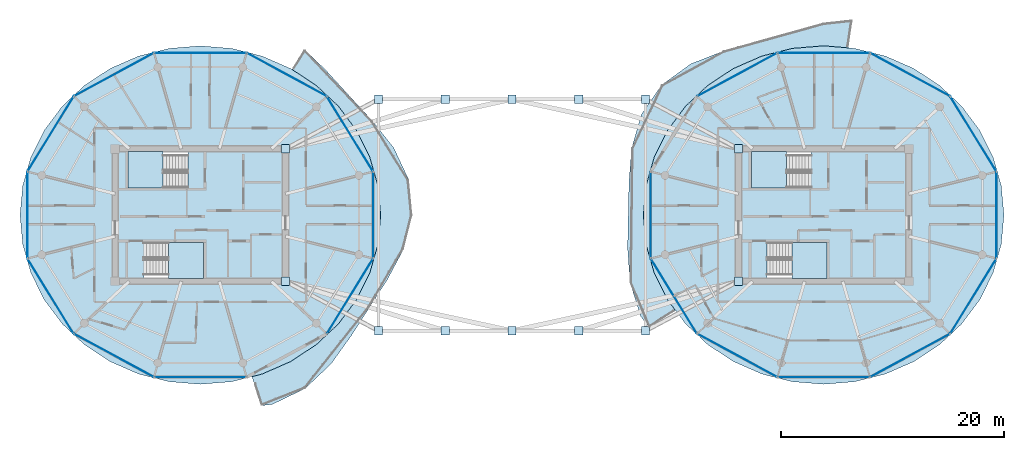
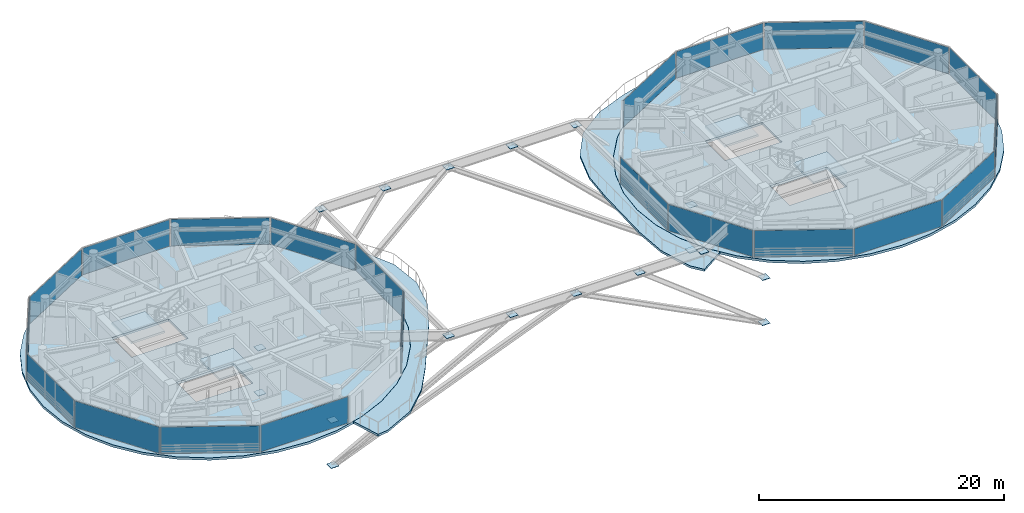
# One storey, part 12 of 23: 40 plates, 8 slabs, 26 elements without a shape of their own.
"""IFC4 building model written with IfcOpenShell, lengths in metres."""

from ifc_helpers import new_model, si_unit, direction, frame, origin, origin_2d, place, context, subcontext, project, spatial, polyline, rectangle, outline, extrude, source, transform, mapped, material, layer, layer_set, type_object, type_shapes, element, aggregate, save


model = new_model("IFC4")

# Units and contexts
model_context = context("Model", 3, precision=1e-05, world=origin(), true_north=direction((0.0, 1.0)))
body_context = subcontext(model_context, "Body", "Model", "MODEL_VIEW")
ifc_project = project(units=[si_unit("LENGTHUNIT", "METRE"), si_unit("AREAUNIT", "SQUARE_METRE"), si_unit("VOLUMEUNIT", "CUBIC_METRE"), si_unit("PLANEANGLEUNIT", "RADIAN"), si_unit("MASSUNIT", "GRAM", prefix="KILO")], contexts=[model_context])

# Site, building, storey
site_placement = place(None, origin())
site = spatial("IfcSite", under=ifc_project, at=site_placement, CompositionType="ELEMENT")
building_placement = place(site_placement, origin())
building = spatial("IfcBuilding", under=site, at=building_placement, Name="Norrkilde Senior Care Towers", CompositionType="ELEMENT")
storey_placement = place(building_placement, frame((0.0, 0.0, 196.75)))
storey = spatial("IfcBuildingStorey", under=building, at=storey_placement, Name="L61", CompositionType="ELEMENT", Elevation=196.75)

# Slabs
ifc_material_1 = material(Name="Concrete C50/60", Category="concrete")
ifc_layer_1 = layer(ifc_material_1, 0.215087890625)
ifc_layer_set_1 = layer_set([ifc_layer_1], Name="Concrete C50/60")
slab_type_1 = type_object("IfcSlabType", Name="Sinusoidal Balcony Ribbon Slab 215", PredefinedType="FLOOR", material=ifc_layer_set_1)
slab_1_placement = place(storey_placement, frame((0.0, 0.0, -0.215087890625)))
element("IfcSlab", 1, at=slab_1_placement, inside=storey, type_object=slab_type_1, Name="L61 Drum W Swirling Senior Balcony 1", PredefinedType="FLOOR", context=body_context, shape_type="SweptSolid", body=[
    extrude(outline(polyline([(-12.81689453125, -8.309814453125), (-14.421630859375, -10.815185546875), (-16.23876953125, -13.35595703125), (-18.589111328125, -15.583251953125), (-21.529541015625, -17.005859375), (-22.51708984375, -17.125732421875), (-23.353515625, -14.51318359375), (-22.45751953125, -14.2880859375), (-19.8974609375, -13.16796875), (-17.583740234375, -11.647705078125), (-15.586181640625, -9.773681640625), (-13.966064453125, -7.6025390625), (-12.772216796875, -5.200439453125), (-12.041259765625, -2.640380859375), (-11.794921875, 0.0), (-12.041259765625, 2.640380859375), (-12.772216796875, 5.200439453125), (-13.966064453125, 7.6025390625), (-15.586181640625, 9.773681640625), (-17.583740234375, 11.647705078125), (-19.76806640625, 13.0830078125), (-18.6318359375, 14.888916015625), (-16.60546875, 12.890625), (-14.582275390625, 10.671630859375), (-12.548583984375, 8.474853515625), (-10.62109375, 6.03515625), (-9.273193359375, 3.16064453125), (-8.967041015625, 0.0), (-9.747802734375, -3.0712890625), (-11.199951171875, -5.810546875), (-12.81689453125, -8.309814453125)])), origin(), (0.0, 0.0, 1.0), 0.215087890625),
])
slab_2_placement = place(storey_placement, frame((0.0, 0.0, -0.215087890625)))
element("IfcSlab", 2, at=slab_2_placement, inside=storey, type_object=slab_type_1, Name="L61 Drum E Swirling Senior Balcony 1", PredefinedType="FLOOR", context=body_context, shape_type="SweptSolid", body=[
    extrude(outline(polyline([(10.5966796875, -6.04443359375), (10.383544921875, -2.951904296875), (10.44580078125, 0.0), (10.505615234375, 2.928955078125), (10.745361328125, 5.98681640625), (11.62646484375, 9.042236328125), (13.445556640625, 11.688232421875), (16.062255859375, 13.58056640625), (19.0380859375, 14.7548828125), (22.01318359375, 15.58935546875), (24.94482421875, 16.431640625), (28.0, 17.243896484375), (30.5791015625, 17.524169921875), (30.2109375, 15.0234375), (28.0, 15.205078125), (25.18603515625, 14.97412109375), (22.45751953125, 14.2880859375), (19.8974609375, 13.16796875), (17.583740234375, 11.647705078125), (15.586181640625, 9.773681640625), (13.966064453125, 7.6025390625), (12.772216796875, 5.200439453125), (12.041259765625, 2.640380859375), (11.794921875, 0.0), (12.041259765625, -2.640380859375), (12.772216796875, -5.200439453125), (13.966064453125, -7.6025390625), (14.6904296875, -8.572998046875), (12.320556640625, -10.099609375), (11.5576171875, -9.084716796875), (10.5966796875, -6.04443359375)])), origin(), (0.0, 0.0, 1.0), 0.215087890625),
])

# Stair, slab
ifc_material_2 = material(Name="Concrete C45/55", Category="concrete")
stair_type = type_object("IfcStairType", Name="Core Protected Dogleg Stair Typical 3050", PredefinedType="HALF_TURN_STAIR", material=ifc_material_2)
stair_1_placement = place(storey_placement, origin())
stair_1 = element("IfcStair", 3, at=stair_1_placement, inside=storey, type_object=stair_type, Name="L61 Protected Core Stair W1", PredefinedType="HALF_TURN_STAIR")
ifc_layer_2 = layer(ifc_material_2, 0.199951171875)
ifc_layer_set_2 = layer_set([ifc_layer_2], Name="Concrete C45/55")
slab_type_2 = type_object("IfcSlabType", Name="Stair Landing Slab 200", PredefinedType="LANDING", material=ifc_layer_set_2)
slab_3_placement = place(storey_placement, frame((0.0, 0.0, 1.324951171875)))
slab_3 = element("IfcSlab", 4, at=slab_3_placement, type_object=slab_type_2, Name="ST-W1 landing 1", PredefinedType="LANDING", context=body_context, shape_type="SweptSolid", body=[
    extrude(outline(polyline([(-31.340087890625, 5.68994140625), (-34.5, 5.68994140625), (-34.5, 2.449951171875), (-31.340087890625, 2.449951171875), (-31.340087890625, 5.68994140625)])), origin(), (0.0, 0.0, 1.0), 0.199951171875),
])
aggregate(stair_1, [slab_3])

stair_2_placement = place(storey_placement, origin())
stair_2 = element("IfcStair", 5, at=stair_2_placement, inside=storey, type_object=stair_type, Name="L61 Protected Core Stair W2", PredefinedType="HALF_TURN_STAIR")
slab_4_placement = place(storey_placement, frame((0.0, 0.0, 1.324951171875)))
slab_4 = element("IfcSlab", 6, at=slab_4_placement, type_object=slab_type_2, Name="ST-W2 landing 1", PredefinedType="LANDING", context=body_context, shape_type="SweptSolid", body=[
    extrude(outline(polyline([(-30.860107421875, -5.68994140625), (-27.699951171875, -5.68994140625), (-27.699951171875, -2.449951171875), (-30.860107421875, -2.449951171875), (-30.860107421875, -5.68994140625)])), origin(), (0.0, 0.0, 1.0), 0.199951171875),
])
aggregate(stair_2, [slab_4])

stair_3_placement = place(storey_placement, origin())
stair_3 = element("IfcStair", 7, at=stair_3_placement, inside=storey, type_object=stair_type, Name="L61 Protected Core Stair E1", PredefinedType="HALF_TURN_STAIR")
slab_5_placement = place(storey_placement, frame((0.0, 0.0, 1.324951171875)))
slab_5 = element("IfcSlab", 8, at=slab_5_placement, type_object=slab_type_2, Name="ST-E1 landing 1", PredefinedType="LANDING", context=body_context, shape_type="SweptSolid", body=[
    extrude(outline(polyline([(24.659912109375, 5.68994140625), (21.5, 5.68994140625), (21.5, 2.449951171875), (24.659912109375, 2.449951171875), (24.659912109375, 5.68994140625)])), origin(), (0.0, 0.0, 1.0), 0.199951171875),
])
aggregate(stair_3, [slab_5])

stair_4_placement = place(storey_placement, origin())
stair_4 = element("IfcStair", 9, at=stair_4_placement, inside=storey, type_object=stair_type, Name="L61 Protected Core Stair E2", PredefinedType="HALF_TURN_STAIR")
slab_6_placement = place(storey_placement, frame((0.0, 0.0, 1.324951171875)))
slab_6 = element("IfcSlab", 10, at=slab_6_placement, type_object=slab_type_2, Name="ST-E2 landing 1", PredefinedType="LANDING", context=body_context, shape_type="SweptSolid", body=[
    extrude(outline(polyline([(25.139892578125, -5.68994140625), (28.300048828125, -5.68994140625), (28.300048828125, -2.449951171875), (25.139892578125, -2.449951171875), (25.139892578125, -5.68994140625)])), origin(), (0.0, 0.0, 1.0), 0.199951171875),
])
aggregate(stair_4, [slab_6])

# Slabs
ifc_layer_3 = layer(ifc_material_1, 0.239990234375)
ifc_layer_set_3 = layer_set([ifc_layer_3], Name="Concrete C50/60")
slab_type_3 = type_object("IfcSlabType", Name="Tower Residence Floor Slab 240", PredefinedType="FLOOR", material=ifc_layer_set_3)
slab_7_placement = place(storey_placement, frame((0.0, 0.0, -0.239990234375)))
element("IfcSlab", 11, at=slab_7_placement, inside=storey, type_object=slab_type_3, Name="L61 Drum W Structural Floor Slab", PredefinedType="FLOOR", context=body_context, shape_type="SweptSolid", body=[
    extrude(outline(polyline([(-12.777099609375, -5.19873046875), (-13.970458984375, -7.60009765625), (-15.590087890625, -9.770263671875), (-17.5869140625, -11.643798828125), (-19.89990234375, -13.16357421875), (-22.459228515625, -14.283447265625), (-25.18701171875, -14.968994140625), (-28.0, -15.199951171875), (-30.81298828125, -14.968994140625), (-33.540771484375, -14.283447265625), (-36.10009765625, -13.16357421875), (-38.4130859375, -11.643798828125), (-40.409912109375, -9.770263671875), (-42.029541015625, -7.60009765625), (-43.222900390625, -5.19873046875), (-43.953857421875, -2.639404296875), (-44.199951171875, 0.0), (-43.953857421875, 2.639404296875), (-43.222900390625, 5.19873046875), (-42.029541015625, 7.60009765625), (-40.409912109375, 9.770263671875), (-38.4130859375, 11.643798828125), (-36.10009765625, 13.16357421875), (-33.540771484375, 14.283447265625), (-30.81298828125, 14.968994140625), (-28.0, 15.199951171875), (-25.18701171875, 14.968994140625), (-22.459228515625, 14.283447265625), (-19.89990234375, 13.16357421875), (-17.5869140625, 11.643798828125), (-15.590087890625, 9.770263671875), (-13.970458984375, 7.60009765625), (-12.777099609375, 5.19873046875), (-12.046142578125, 2.639404296875), (-11.800048828125, 0.0), (-12.046142578125, -2.639404296875), (-12.777099609375, -5.19873046875)]), holes=[polyline([(-34.48193359375, 2.468017578125), (-29.117919921875, 2.468017578125), (-29.117919921875, 5.68994140625), (-34.48193359375, 5.68994140625), (-34.48193359375, 2.468017578125)]), polyline([(-27.718017578125, -5.68994140625), (-27.718017578125, -2.468017578125), (-33.08203125, -2.468017578125), (-33.08203125, -5.68994140625), (-27.718017578125, -5.68994140625)])]), origin(), (0.0, 0.0, 1.0), 0.239990234375),
])
slab_8_placement = place(storey_placement, frame((0.0, 0.0, -0.239990234375)))
element("IfcSlab", 12, at=slab_8_placement, inside=storey, type_object=slab_type_3, Name="L61 Drum E Structural Floor Slab", PredefinedType="FLOOR", context=body_context, shape_type="SweptSolid", body=[
    extrude(outline(polyline([(43.222900390625, -5.19873046875), (42.029541015625, -7.60009765625), (40.409912109375, -9.770263671875), (38.4130859375, -11.643798828125), (36.10009765625, -13.16357421875), (33.540771484375, -14.283447265625), (30.81298828125, -14.968994140625), (28.0, -15.199951171875), (25.18701171875, -14.968994140625), (22.459228515625, -14.283447265625), (19.89990234375, -13.16357421875), (17.5869140625, -11.643798828125), (15.590087890625, -9.770263671875), (13.970458984375, -7.60009765625), (12.777099609375, -5.19873046875), (12.046142578125, -2.639404296875), (11.800048828125, 0.0), (12.046142578125, 2.639404296875), (12.777099609375, 5.19873046875), (13.970458984375, 7.60009765625), (15.590087890625, 9.770263671875), (17.5869140625, 11.643798828125), (19.89990234375, 13.16357421875), (22.459228515625, 14.283447265625), (25.18701171875, 14.968994140625), (28.0, 15.199951171875), (30.81298828125, 14.968994140625), (33.540771484375, 14.283447265625), (36.10009765625, 13.16357421875), (38.4130859375, 11.643798828125), (40.409912109375, 9.770263671875), (42.029541015625, 7.60009765625), (43.222900390625, 5.19873046875), (43.953857421875, 2.639404296875), (44.199951171875, 0.0), (43.953857421875, -2.639404296875), (43.222900390625, -5.19873046875)]), holes=[polyline([(21.51806640625, 2.468017578125), (26.882080078125, 2.468017578125), (26.882080078125, 5.68994140625), (21.51806640625, 5.68994140625), (21.51806640625, 2.468017578125)]), polyline([(28.281982421875, -5.68994140625), (28.281982421875, -2.468017578125), (22.91796875, -2.468017578125), (22.91796875, -5.68994140625), (28.281982421875, -5.68994140625)])]), origin(), (0.0, 0.0, 1.0), 0.239990234375),
])

# Plates
ifc_material_3 = material(Name="Steel S355", Category="steel")
ifc_layer_4 = layer(ifc_material_3, 0.034912109375)
ifc_layer_set_4 = layer_set([ifc_layer_4], Name="Steel S355")
plate_type_1 = type_object("IfcPlateType", Name="Truss Node Gusset Plate 35", PredefinedType="USERDEFINED", material=ifc_layer_set_4)
shared_shape_1 = source(origin(), body_context, "Body", "SweptSolid", [
    extrude(rectangle(XDim=0.75, YDim=0.75, at=origin_2d()), origin(), (0.0, 0.0, 1.0), 0.034912109375),
])
type_shapes(plate_type_1, [shared_shape_1])
for number, where, z_axis, x_axis, name in (
    (13, (-20.35009765625, -5.949951171875, -6.11767578125), (0.0, 0.0, 1.0), (1.0, 0.0, 0.0), "L61 Sky-Gate Arch Strut S-W12 Lower Gusset Plate"),
    (14, (-12.0, -10.39990234375, 2.1123046875), (0.0, 0.0, 1.0), (1.0, 0.0, 0.0), "L61 Sky-Gate Arch Strut S-W12 Upper Gusset Plate"),
    (15, (-20.35009765625, -5.949951171875, -10.61767578125), (0.0, 0.0, 1.0), (1.0, 0.0, 0.0), "L61 Sky-Gate Arch Strut S-W06 Lower Gusset Plate"),
    (16, (-6.0, -10.39990234375, 2.1123046875), (0.0, 0.0, 1.0), (1.0, 0.0, 0.0), "L61 Sky-Gate Arch Strut S-W06 Upper Gusset Plate"),
    (17, (0.0, -10.39990234375, 2.1123046875), (0.0, 0.0, 1.0), (1.0, 0.0, 0.0), "L61 Sky-Gate Arch Strut S-W00 Upper Gusset Plate"),
    (18, (20.35009765625, -5.949951171875, -10.61767578125), (0.0, 0.0, 1.0), (1.0, 0.0, 0.0), "L61 Sky-Gate Arch Strut S-E00 Lower Gusset Plate"),
    (19, (6.0, -10.39990234375, 2.1123046875), (0.0, 0.0, 1.0), (1.0, 0.0, 0.0), "L61 Sky-Gate Arch Strut S-E06 Upper Gusset Plate"),
    (20, (20.35009765625, -5.949951171875, -6.11767578125), (0.0, 0.0, 1.0), (1.0, 0.0, 0.0), "L61 Sky-Gate Arch Strut S-E12 Lower Gusset Plate"),
    (21, (12.0, -10.39990234375, 2.1123046875), (0.0, 0.0, 1.0), (1.0, 0.0, 0.0), "L61 Sky-Gate Arch Strut S-E12 Upper Gusset Plate"),
    (22, (-20.35009765625, 5.949951171875, -6.11767578125), (0.0, 0.0, 1.0), (1.0, 0.0, 0.0), "L61 Sky-Gate Arch Strut N-W12 Lower Gusset Plate"),
    (23, (-12.0, 10.39990234375, 2.1123046875), (0.0, 0.0, 1.0), (1.0, 0.0, 0.0), "L61 Sky-Gate Arch Strut N-W12 Upper Gusset Plate"),
    (24, (-20.35009765625, 5.949951171875, -10.61767578125), (0.0, 0.0, 1.0), (1.0, 0.0, 0.0), "L61 Sky-Gate Arch Strut N-W06 Lower Gusset Plate"),
    (25, (-6.0, 10.39990234375, 2.1123046875), (0.0, 0.0, 1.0), (1.0, 0.0, 0.0), "L61 Sky-Gate Arch Strut N-W06 Upper Gusset Plate"),
    (26, (0.0, 10.39990234375, 2.1123046875), (0.0, 0.0, 1.0), (1.0, 0.0, 0.0), "L61 Sky-Gate Arch Strut N-W00 Upper Gusset Plate"),
    (27, (20.35009765625, 5.949951171875, -10.61767578125), (0.0, 0.0, 1.0), (1.0, 0.0, 0.0), "L61 Sky-Gate Arch Strut N-E00 Lower Gusset Plate"),
    (28, (6.0, 10.39990234375, 2.1123046875), (0.0, 0.0, 1.0), (1.0, 0.0, 0.0), "L61 Sky-Gate Arch Strut N-E06 Upper Gusset Plate"),
    (29, (20.35009765625, 5.949951171875, -6.11767578125), (0.0, 0.0, 1.0), (1.0, 0.0, 0.0), "L61 Sky-Gate Arch Strut N-E12 Lower Gusset Plate"),
    (30, (12.0, 10.39990234375, 2.1123046875), (0.0, 0.0, 1.0), (1.0, 0.0, 0.0), "L61 Sky-Gate Arch Strut N-E12 Upper Gusset Plate"),
):
    element("IfcPlate", number, at=place(storey_placement, frame(where, z_axis=z_axis, x_axis=x_axis)), inside=storey, type_object=plate_type_1, Name=name, ObjectType="GUSSET_PLATE", PredefinedType="USERDEFINED", context=body_context, shape_type="MappedRepresentation", body=[
        mapped(shared_shape_1, transform((0.0, 0.0, 0.0), x_axis=(1.0, 0.0, 0.0), y_axis=(0.0, 1.0, 0.0), z_axis=(0.0, 0.0, 1.0), scale=1.0)),
    ])

# Curtain wall, plate
ifc_material_4 = material(Name="Triple Low-E Insulated Glazing", Category="glass")
ifc_layer_5 = layer(ifc_material_4, 0.18505859375)
ifc_layer_set_5 = layer_set([ifc_layer_5], Name="Triple Low-E Insulated Glazing")
curtain_wall_type = type_object("IfcCurtainWallType", Name="CW6 Zone 4 Crown Pavilion Curtain Wall", PredefinedType="NOTDEFINED", material=ifc_layer_set_5)
curtain_wall_1_placement = place(storey_placement, origin())
curtain_wall_1 = element("IfcCurtainWall", 31, at=curtain_wall_1_placement, inside=storey, type_object=curtain_wall_type, Name="L61 Drum W Curtain Wall 00", PredefinedType="NOTDEFINED")
ifc_layer_6 = layer(ifc_material_4, 0.035888671875)
ifc_layer_set_6 = layer_set([ifc_layer_6], Name="Triple Low-E Insulated Glazing")
plate_type_2 = type_object("IfcPlateType", Name="Triple Low-E Vision Curtain Panel 36", PredefinedType="CURTAIN_PANEL", material=ifc_layer_set_6)
shared_shape_2 = source(origin(), body_context, "Body", "SweptSolid", [
    extrude(rectangle(XDim=7.80859375, YDim=0.035888671875, at=origin_2d()), origin(), (0.0, 0.0, 1.0), 2.639892578125),
])
plate_1_placement = place(storey_placement, frame((-14.548828125, 7.282958984375, 0.06005859375), z_axis=(0.0, 0.0, 1.0), x_axis=(0.524252726748, -0.851562727283, 0.0)))
plate_1 = element("IfcPlate", 32, at=plate_1_placement, type_object=plate_type_2, Name="CW-6 panel 1.1", PredefinedType="CURTAIN_PANEL", context=body_context, shape_type="MappedRepresentation", body=[
    mapped(shared_shape_2, transform((0.0, 0.0, 0.0), x_axis=(1.0, 0.0, 0.0), y_axis=(0.0, 1.0, 0.0), z_axis=(0.0, 0.0, 1.0), scale=1.0)),
])
aggregate(curtain_wall_1, [plate_1])

curtain_wall_2_placement = place(storey_placement, origin())
curtain_wall_2 = element("IfcCurtainWall", 33, at=curtain_wall_2_placement, inside=storey, type_object=curtain_wall_type, Name="L61 Drum W Curtain Wall 04", PredefinedType="NOTDEFINED")
plate_2_placement = place(storey_placement, frame((-41.451171875, 7.282958984375, 0.06005859375), z_axis=(0.0, 0.0, 1.0), x_axis=(0.524252726748, 0.851562727283, 0.0)))
plate_2 = element("IfcPlate", 34, at=plate_2_placement, type_object=plate_type_2, Name="CW-6 panel 1.1", PredefinedType="CURTAIN_PANEL", context=body_context, shape_type="MappedRepresentation", body=[
    mapped(shared_shape_2, transform((0.0, 0.0, 0.0), x_axis=(1.0, 0.0, 0.0), y_axis=(0.0, 1.0, 0.0), z_axis=(0.0, 0.0, 1.0), scale=1.0)),
])
aggregate(curtain_wall_2, [plate_2])

curtain_wall_3_placement = place(storey_placement, origin())
curtain_wall_3 = element("IfcCurtainWall", 35, at=curtain_wall_3_placement, inside=storey, type_object=curtain_wall_type, Name="L61 Drum W Curtain Wall 06", PredefinedType="NOTDEFINED")
plate_3_placement = place(storey_placement, frame((-41.451171875, -7.282958984375, 0.06005859375), z_axis=(0.0, 0.0, 1.0), x_axis=(-0.524252726748, 0.851562727283, 0.0)))
plate_3 = element("IfcPlate", 36, at=plate_3_placement, type_object=plate_type_2, Name="CW-6 panel 1.1", PredefinedType="CURTAIN_PANEL", context=body_context, shape_type="MappedRepresentation", body=[
    mapped(shared_shape_2, transform((0.0, 0.0, 0.0), x_axis=(1.0, 0.0, 0.0), y_axis=(0.0, 1.0, 0.0), z_axis=(0.0, 0.0, 1.0), scale=1.0)),
])
aggregate(curtain_wall_3, [plate_3])

curtain_wall_4_placement = place(storey_placement, origin())
curtain_wall_4 = element("IfcCurtainWall", 37, at=curtain_wall_4_placement, inside=storey, type_object=curtain_wall_type, Name="L61 Drum W Curtain Wall 10", PredefinedType="NOTDEFINED")
plate_4_placement = place(storey_placement, frame((-14.548828125, -7.282958984375, 0.06005859375), z_axis=(0.0, 0.0, 1.0), x_axis=(-0.524252726748, -0.851562727283, 0.0)))
plate_4 = element("IfcPlate", 38, at=plate_4_placement, type_object=plate_type_2, Name="CW-6 panel 1.1", PredefinedType="CURTAIN_PANEL", context=body_context, shape_type="MappedRepresentation", body=[
    mapped(shared_shape_2, transform((0.0, 0.0, 0.0), x_axis=(1.0, 0.0, 0.0), y_axis=(0.0, 1.0, 0.0), z_axis=(0.0, 0.0, 1.0), scale=1.0)),
])
aggregate(curtain_wall_4, [plate_4])

curtain_wall_5_placement = place(storey_placement, origin())
curtain_wall_5 = element("IfcCurtainWall", 39, at=curtain_wall_5_placement, inside=storey, type_object=curtain_wall_type, Name="L61 Drum E Curtain Wall 00", PredefinedType="NOTDEFINED")
plate_5_placement = place(storey_placement, frame((41.451171875, 7.282958984375, 0.06005859375), z_axis=(0.0, 0.0, 1.0), x_axis=(0.524252726748, -0.851562727283, 0.0)))
plate_5 = element("IfcPlate", 40, at=plate_5_placement, type_object=plate_type_2, Name="CW-6 panel 1.1", PredefinedType="CURTAIN_PANEL", context=body_context, shape_type="MappedRepresentation", body=[
    mapped(shared_shape_2, transform((0.0, 0.0, 0.0), x_axis=(1.0, 0.0, 0.0), y_axis=(0.0, 1.0, 0.0), z_axis=(0.0, 0.0, 1.0), scale=1.0)),
])
aggregate(curtain_wall_5, [plate_5])

curtain_wall_6_placement = place(storey_placement, origin())
curtain_wall_6 = element("IfcCurtainWall", 41, at=curtain_wall_6_placement, inside=storey, type_object=curtain_wall_type, Name="L61 Drum E Curtain Wall 06", PredefinedType="NOTDEFINED")
plate_6_placement = place(storey_placement, frame((14.548828125, -7.282958984375, 0.06005859375), z_axis=(0.0, 0.0, 1.0), x_axis=(-0.524252726748, 0.851562727283, 0.0)))
plate_6 = element("IfcPlate", 42, at=plate_6_placement, type_object=plate_type_2, Name="CW-6 panel 1.1", PredefinedType="CURTAIN_PANEL", context=body_context, shape_type="MappedRepresentation", body=[
    mapped(shared_shape_2, transform((0.0, 0.0, 0.0), x_axis=(1.0, 0.0, 0.0), y_axis=(0.0, 1.0, 0.0), z_axis=(0.0, 0.0, 1.0), scale=1.0)),
])
aggregate(curtain_wall_6, [plate_6])

curtain_wall_7_placement = place(storey_placement, origin())
curtain_wall_7 = element("IfcCurtainWall", 43, at=curtain_wall_7_placement, inside=storey, type_object=curtain_wall_type, Name="L61 Drum E Curtain Wall 10", PredefinedType="NOTDEFINED")
plate_7_placement = place(storey_placement, frame((41.451171875, -7.282958984375, 0.06005859375), z_axis=(0.0, 0.0, 1.0), x_axis=(-0.524252726748, -0.851562727283, 0.0)))
plate_7 = element("IfcPlate", 44, at=plate_7_placement, type_object=plate_type_2, Name="CW-6 panel 1.1", PredefinedType="CURTAIN_PANEL", context=body_context, shape_type="MappedRepresentation", body=[
    mapped(shared_shape_2, transform((0.0, 0.0, 0.0), x_axis=(1.0, 0.0, 0.0), y_axis=(0.0, 1.0, 0.0), z_axis=(0.0, 0.0, 1.0), scale=1.0)),
])
aggregate(curtain_wall_7, [plate_7])

curtain_wall_8_placement = place(storey_placement, origin())
curtain_wall_8 = element("IfcCurtainWall", 45, at=curtain_wall_8_placement, inside=storey, type_object=curtain_wall_type, Name="L61 Drum W Curtain Wall 01", PredefinedType="NOTDEFINED")
shared_shape_3 = source(origin(), body_context, "Body", "SweptSolid", [
    extrude(rectangle(XDim=8.0673828125, YDim=0.035888671875, at=origin_2d()), origin(), (0.0, 0.0, 1.0), 2.639892578125),
])
plate_8_placement = place(storey_placement, frame((-20.23388671875, 12.61474609375, 0.06005859375), z_axis=(0.0, 0.0, 1.0), x_axis=(0.879373455772, -0.476132676136, 0.0)))
plate_8 = element("IfcPlate", 46, at=plate_8_placement, type_object=plate_type_2, Name="CW-6 panel 1.1", PredefinedType="CURTAIN_PANEL", context=body_context, shape_type="MappedRepresentation", body=[
    mapped(shared_shape_3, transform((0.0, 0.0, 0.0), x_axis=(1.0, 0.0, 0.0), y_axis=(0.0, 1.0, 0.0), z_axis=(0.0, 0.0, 1.0), scale=1.0)),
])
aggregate(curtain_wall_8, [plate_8])

curtain_wall_9_placement = place(storey_placement, origin())
curtain_wall_9 = element("IfcCurtainWall", 47, at=curtain_wall_9_placement, inside=storey, type_object=curtain_wall_type, Name="L61 Drum W Curtain Wall 03", PredefinedType="NOTDEFINED")
plate_9_placement = place(storey_placement, frame((-35.76611328125, 12.61474609375, 0.06005859375), z_axis=(0.0, 0.0, 1.0), x_axis=(0.879373455772, 0.476132676136, 0.0)))
plate_9 = element("IfcPlate", 48, at=plate_9_placement, type_object=plate_type_2, Name="CW-6 panel 1.1", PredefinedType="CURTAIN_PANEL", context=body_context, shape_type="MappedRepresentation", body=[
    mapped(shared_shape_3, transform((0.0, 0.0, 0.0), x_axis=(1.0, 0.0, 0.0), y_axis=(0.0, 1.0, 0.0), z_axis=(0.0, 0.0, 1.0), scale=1.0)),
])
aggregate(curtain_wall_9, [plate_9])

curtain_wall_10_placement = place(storey_placement, origin())
curtain_wall_10 = element("IfcCurtainWall", 49, at=curtain_wall_10_placement, inside=storey, type_object=curtain_wall_type, Name="L61 Drum W Curtain Wall 07", PredefinedType="NOTDEFINED")
plate_10_placement = place(storey_placement, frame((-35.76611328125, -12.61474609375, 0.06005859375), z_axis=(0.0, 0.0, 1.0), x_axis=(-0.879373455772, 0.476132676136, 0.0)))
plate_10 = element("IfcPlate", 50, at=plate_10_placement, type_object=plate_type_2, Name="CW-6 panel 1.1", PredefinedType="CURTAIN_PANEL", context=body_context, shape_type="MappedRepresentation", body=[
    mapped(shared_shape_3, transform((0.0, 0.0, 0.0), x_axis=(1.0, 0.0, 0.0), y_axis=(0.0, 1.0, 0.0), z_axis=(0.0, 0.0, 1.0), scale=1.0)),
])
aggregate(curtain_wall_10, [plate_10])

curtain_wall_11_placement = place(storey_placement, origin())
curtain_wall_11 = element("IfcCurtainWall", 51, at=curtain_wall_11_placement, inside=storey, type_object=curtain_wall_type, Name="L61 Drum E Curtain Wall 01", PredefinedType="NOTDEFINED")
plate_11_placement = place(storey_placement, frame((35.76611328125, 12.61474609375, 0.06005859375), z_axis=(0.0, 0.0, 1.0), x_axis=(0.879373455772, -0.476132676136, 0.0)))
plate_11 = element("IfcPlate", 52, at=plate_11_placement, type_object=plate_type_2, Name="CW-6 panel 1.1", PredefinedType="CURTAIN_PANEL", context=body_context, shape_type="MappedRepresentation", body=[
    mapped(shared_shape_3, transform((0.0, 0.0, 0.0), x_axis=(1.0, 0.0, 0.0), y_axis=(0.0, 1.0, 0.0), z_axis=(0.0, 0.0, 1.0), scale=1.0)),
])
aggregate(curtain_wall_11, [plate_11])

curtain_wall_12_placement = place(storey_placement, origin())
curtain_wall_12 = element("IfcCurtainWall", 53, at=curtain_wall_12_placement, inside=storey, type_object=curtain_wall_type, Name="L61 Drum E Curtain Wall 03", PredefinedType="NOTDEFINED")
plate_12_placement = place(storey_placement, frame((20.23388671875, 12.61474609375, 0.06005859375), z_axis=(0.0, 0.0, 1.0), x_axis=(0.879373455772, 0.476132676136, 0.0)))
plate_12 = element("IfcPlate", 54, at=plate_12_placement, type_object=plate_type_2, Name="CW-6 panel 1.1", PredefinedType="CURTAIN_PANEL", context=body_context, shape_type="MappedRepresentation", body=[
    mapped(shared_shape_3, transform((0.0, 0.0, 0.0), x_axis=(1.0, 0.0, 0.0), y_axis=(0.0, 1.0, 0.0), z_axis=(0.0, 0.0, 1.0), scale=1.0)),
])
aggregate(curtain_wall_12, [plate_12])

curtain_wall_13_placement = place(storey_placement, origin())
curtain_wall_13 = element("IfcCurtainWall", 55, at=curtain_wall_13_placement, inside=storey, type_object=curtain_wall_type, Name="L61 Drum E Curtain Wall 07", PredefinedType="NOTDEFINED")
plate_13_placement = place(storey_placement, frame((20.23388671875, -12.61474609375, 0.06005859375), z_axis=(0.0, 0.0, 1.0), x_axis=(-0.879373455772, 0.476132676136, 0.0)))
plate_13 = element("IfcPlate", 56, at=plate_13_placement, type_object=plate_type_2, Name="CW-6 panel 1.1", PredefinedType="CURTAIN_PANEL", context=body_context, shape_type="MappedRepresentation", body=[
    mapped(shared_shape_3, transform((0.0, 0.0, 0.0), x_axis=(1.0, 0.0, 0.0), y_axis=(0.0, 1.0, 0.0), z_axis=(0.0, 0.0, 1.0), scale=1.0)),
])
aggregate(curtain_wall_13, [plate_13])

curtain_wall_14_placement = place(storey_placement, origin())
curtain_wall_14 = element("IfcCurtainWall", 57, at=curtain_wall_14_placement, inside=storey, type_object=curtain_wall_type, Name="L61 Drum E Curtain Wall 09", PredefinedType="NOTDEFINED")
plate_14_placement = place(storey_placement, frame((35.76611328125, -12.61474609375, 0.06005859375), z_axis=(0.0, 0.0, 1.0), x_axis=(-0.879373455772, -0.476132676136, 0.0)))
plate_14 = element("IfcPlate", 58, at=plate_14_placement, type_object=plate_type_2, Name="CW-6 panel 1.1", PredefinedType="CURTAIN_PANEL", context=body_context, shape_type="MappedRepresentation", body=[
    mapped(shared_shape_3, transform((0.0, 0.0, 0.0), x_axis=(1.0, 0.0, 0.0), y_axis=(0.0, 1.0, 0.0), z_axis=(0.0, 0.0, 1.0), scale=1.0)),
])
aggregate(curtain_wall_14, [plate_14])

curtain_wall_15_placement = place(storey_placement, origin())
curtain_wall_15 = element("IfcCurtainWall", 59, at=curtain_wall_15_placement, inside=storey, type_object=curtain_wall_type, Name="L61 Drum W Curtain Wall 02", PredefinedType="NOTDEFINED")
shared_shape_4 = source(origin(), body_context, "Body", "SweptSolid", [
    extrude(rectangle(XDim=8.193603515625, YDim=0.035888671875, at=origin_2d()), origin(), (0.0, 0.0, 1.0), 2.639892578125),
])
plate_15_placement = place(storey_placement, frame((-28.0, 14.566162109375, 0.06005859375), z_axis=(0.0, 0.0, 1.0), x_axis=(1.0, 0.0, 0.0)))
plate_15 = element("IfcPlate", 60, at=plate_15_placement, type_object=plate_type_2, Name="CW-6 panel 1.1", PredefinedType="CURTAIN_PANEL", context=body_context, shape_type="MappedRepresentation", body=[
    mapped(shared_shape_4, transform((0.0, 0.0, 0.0), x_axis=(1.0, 0.0, 0.0), y_axis=(0.0, 1.0, 0.0), z_axis=(0.0, 0.0, 1.0), scale=1.0)),
])
aggregate(curtain_wall_15, [plate_15])

curtain_wall_16_placement = place(storey_placement, origin())
curtain_wall_16 = element("IfcCurtainWall", 61, at=curtain_wall_16_placement, inside=storey, type_object=curtain_wall_type, Name="L61 Drum W Curtain Wall 08", PredefinedType="NOTDEFINED")
plate_16_placement = place(storey_placement, frame((-28.0, -14.566162109375, 0.06005859375), z_axis=(0.0, 0.0, 1.0), x_axis=(-1.0, 0.0, 0.0)))
plate_16 = element("IfcPlate", 62, at=plate_16_placement, type_object=plate_type_2, Name="CW-6 panel 1.1", PredefinedType="CURTAIN_PANEL", context=body_context, shape_type="MappedRepresentation", body=[
    mapped(shared_shape_4, transform((0.0, 0.0, 0.0), x_axis=(1.0, 0.0, 0.0), y_axis=(0.0, 1.0, 0.0), z_axis=(0.0, 0.0, 1.0), scale=1.0)),
])
aggregate(curtain_wall_16, [plate_16])

curtain_wall_17_placement = place(storey_placement, origin())
curtain_wall_17 = element("IfcCurtainWall", 63, at=curtain_wall_17_placement, inside=storey, type_object=curtain_wall_type, Name="L61 Drum E Curtain Wall 02", PredefinedType="NOTDEFINED")
plate_17_placement = place(storey_placement, frame((28.0, 14.566162109375, 0.06005859375), z_axis=(0.0, 0.0, 1.0), x_axis=(1.0, 0.0, 0.0)))
plate_17 = element("IfcPlate", 64, at=plate_17_placement, type_object=plate_type_2, Name="CW-6 panel 1.1", PredefinedType="CURTAIN_PANEL", context=body_context, shape_type="MappedRepresentation", body=[
    mapped(shared_shape_4, transform((0.0, 0.0, 0.0), x_axis=(1.0, 0.0, 0.0), y_axis=(0.0, 1.0, 0.0), z_axis=(0.0, 0.0, 1.0), scale=1.0)),
])
aggregate(curtain_wall_17, [plate_17])

curtain_wall_18_placement = place(storey_placement, origin())
curtain_wall_18 = element("IfcCurtainWall", 65, at=curtain_wall_18_placement, inside=storey, type_object=curtain_wall_type, Name="L61 Drum E Curtain Wall 08", PredefinedType="NOTDEFINED")
plate_18_placement = place(storey_placement, frame((28.0, -14.566162109375, 0.06005859375), z_axis=(0.0, 0.0, 1.0), x_axis=(-1.0, 0.0, 0.0)))
plate_18 = element("IfcPlate", 66, at=plate_18_placement, type_object=plate_type_2, Name="CW-6 panel 1.1", PredefinedType="CURTAIN_PANEL", context=body_context, shape_type="MappedRepresentation", body=[
    mapped(shared_shape_4, transform((0.0, 0.0, 0.0), x_axis=(1.0, 0.0, 0.0), y_axis=(0.0, 1.0, 0.0), z_axis=(0.0, 0.0, 1.0), scale=1.0)),
])
aggregate(curtain_wall_18, [plate_18])

curtain_wall_19_placement = place(storey_placement, origin())
curtain_wall_19 = element("IfcCurtainWall", 67, at=curtain_wall_19_placement, inside=storey, type_object=curtain_wall_type, Name="L61 Drum W Curtain Wall 05", PredefinedType="NOTDEFINED")
shared_shape_5 = source(origin(), body_context, "Body", "SweptSolid", [
    extrude(rectangle(XDim=7.676025390625, YDim=0.035888671875, at=origin_2d()), origin(), (0.0, 0.0, 1.0), 2.639892578125),
])
type_shapes(plate_type_2, [shared_shape_2, shared_shape_3, shared_shape_4, shared_shape_5])
plate_19_placement = place(storey_placement, frame((-43.531982421875, 0.0, 0.06005859375), z_axis=(0.0, 0.0, 1.0), x_axis=(0.0, 1.0, 0.0)))
plate_19 = element("IfcPlate", 68, at=plate_19_placement, type_object=plate_type_2, Name="CW-6 panel 1.1", PredefinedType="CURTAIN_PANEL", context=body_context, shape_type="MappedRepresentation", body=[
    mapped(shared_shape_5, transform((0.0, 0.0, 0.0), x_axis=(1.0, 0.0, 0.0), y_axis=(0.0, 1.0, 0.0), z_axis=(0.0, 0.0, 1.0), scale=1.0)),
])
aggregate(curtain_wall_19, [plate_19])

curtain_wall_20_placement = place(storey_placement, origin())
curtain_wall_20 = element("IfcCurtainWall", 69, at=curtain_wall_20_placement, inside=storey, type_object=curtain_wall_type, Name="L61 Drum W Curtain Wall 11", PredefinedType="NOTDEFINED")
plate_20_placement = place(storey_placement, frame((-12.468017578125, 0.0, 0.06005859375), z_axis=(0.0, 0.0, 1.0), x_axis=(0.0, -1.0, 0.0)))
plate_20 = element("IfcPlate", 70, at=plate_20_placement, type_object=plate_type_2, Name="CW-6 panel 1.1", PredefinedType="CURTAIN_PANEL", context=body_context, shape_type="MappedRepresentation", body=[
    mapped(shared_shape_5, transform((0.0, 0.0, 0.0), x_axis=(1.0, 0.0, 0.0), y_axis=(0.0, 1.0, 0.0), z_axis=(0.0, 0.0, 1.0), scale=1.0)),
])
aggregate(curtain_wall_20, [plate_20])

curtain_wall_21_placement = place(storey_placement, origin())
curtain_wall_21 = element("IfcCurtainWall", 71, at=curtain_wall_21_placement, inside=storey, type_object=curtain_wall_type, Name="L61 Drum E Curtain Wall 05", PredefinedType="NOTDEFINED")
plate_21_placement = place(storey_placement, frame((12.468017578125, 0.0, 0.06005859375), z_axis=(0.0, 0.0, 1.0), x_axis=(0.0, 1.0, 0.0)))
plate_21 = element("IfcPlate", 72, at=plate_21_placement, type_object=plate_type_2, Name="CW-6 panel 1.1", PredefinedType="CURTAIN_PANEL", context=body_context, shape_type="MappedRepresentation", body=[
    mapped(shared_shape_5, transform((0.0, 0.0, 0.0), x_axis=(1.0, 0.0, 0.0), y_axis=(0.0, 1.0, 0.0), z_axis=(0.0, 0.0, 1.0), scale=1.0)),
])
aggregate(curtain_wall_21, [plate_21])

curtain_wall_22_placement = place(storey_placement, origin())
curtain_wall_22 = element("IfcCurtainWall", 73, at=curtain_wall_22_placement, inside=storey, type_object=curtain_wall_type, Name="L61 Drum E Curtain Wall 11", PredefinedType="NOTDEFINED")
plate_22_placement = place(storey_placement, frame((43.531982421875, 0.0, 0.06005859375), z_axis=(0.0, 0.0, 1.0), x_axis=(0.0, -1.0, 0.0)))
plate_22 = element("IfcPlate", 74, at=plate_22_placement, type_object=plate_type_2, Name="CW-6 panel 1.1", PredefinedType="CURTAIN_PANEL", context=body_context, shape_type="MappedRepresentation", body=[
    mapped(shared_shape_5, transform((0.0, 0.0, 0.0), x_axis=(1.0, 0.0, 0.0), y_axis=(0.0, 1.0, 0.0), z_axis=(0.0, 0.0, 1.0), scale=1.0)),
])
aggregate(curtain_wall_22, [plate_22])

save(model, "model.ifc")
